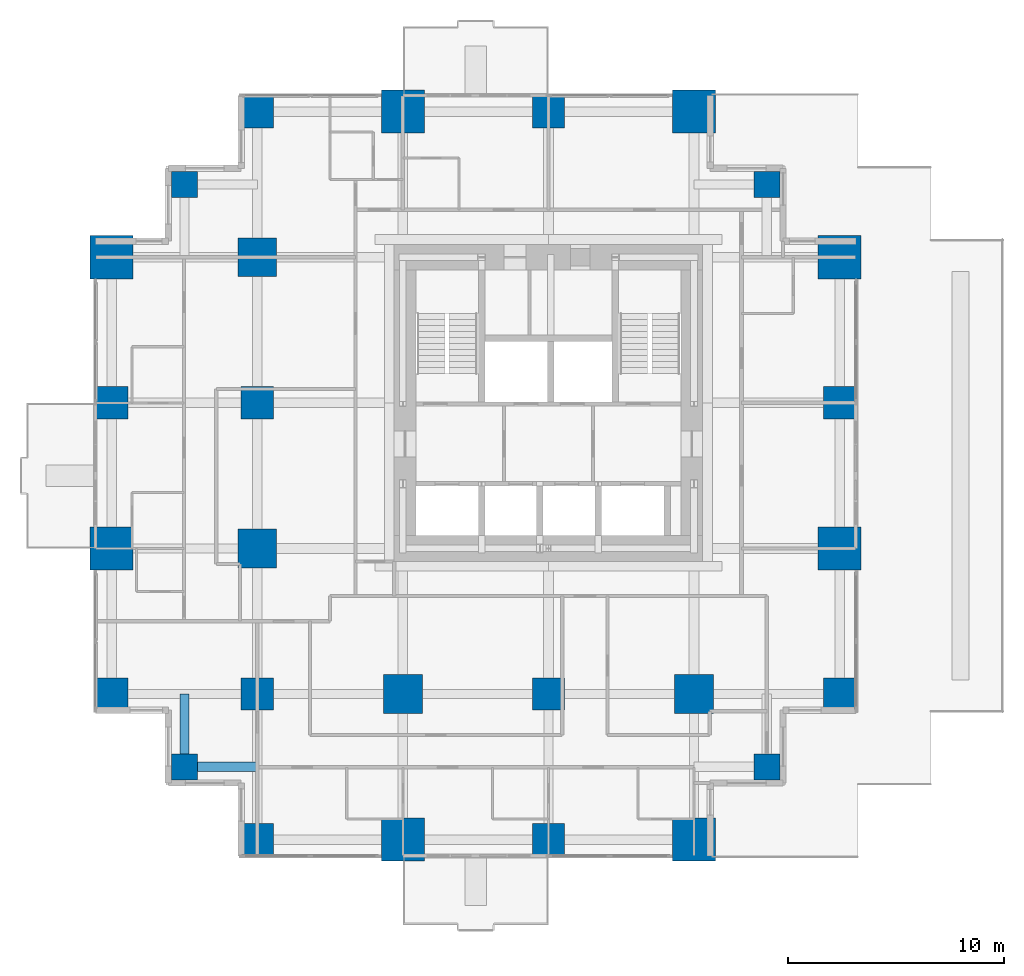
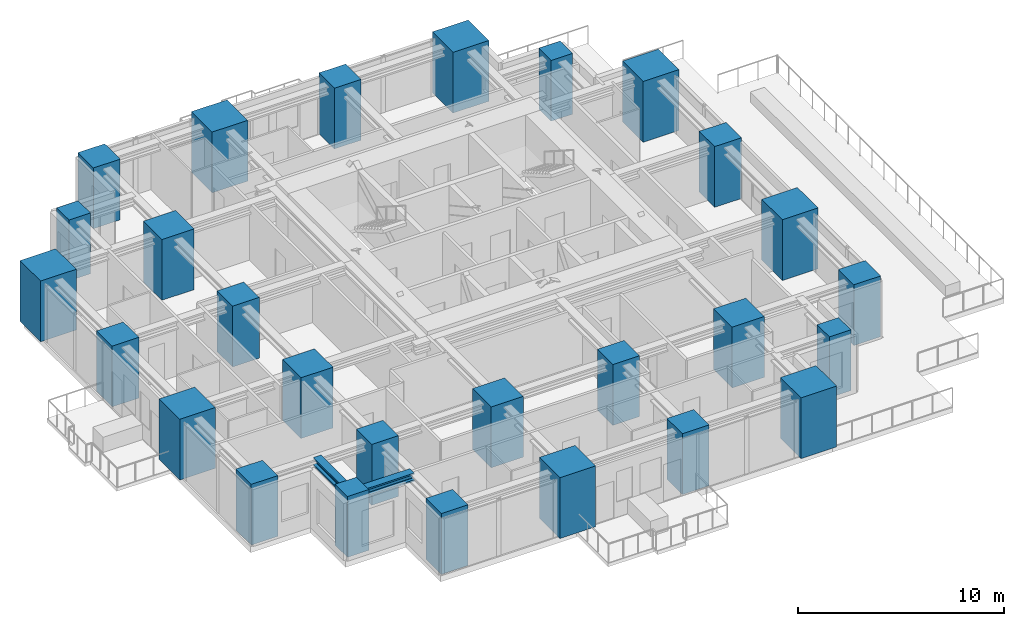
# One storey, part 1 of 10: 27 columns, 2 beams.
"""IFC4 building model written with IfcOpenShell, lengths in metres."""

import ifcopenshell
import ifcopenshell.guid

model = None  # the IFC model being written
_history = None  # IfcOwnerHistory: only IFC2X3 demands one
_inside = {}  # id of a spatial element -> (the spatial element, [elements in it])
_under = {}  # id of a project, library or spatial element -> (it, [spatial elements below it])
_declared = {}  # id of a project -> (the project, [libraries it declares])
_typed = {}  # id of a type object -> (the type object, [elements of that type])
_made_of = {}  # id of a material, layer set ... -> (it, [elements and type objects made of it])


def new_model(schema):
    """Start an empty IFC model of exactly this schema.

    Asked for "IFC4X3", IfcOpenShell would pick the latest addendum, in which some entities
    have other attributes; the version numbers below select the first issue.
    IFC2X3 requires an IfcOwnerHistory on every rooted entity: one is made here for all.
    """
    global model, _history
    if schema == "IFC4X3":
        model = ifcopenshell.file(schema_version=(4, 3, 0, 0))
    else:
        model = ifcopenshell.file(schema=schema)
    _inside.clear()
    _under.clear()
    _declared.clear()
    _typed.clear()
    _made_of.clear()
    _history = None
    if model.schema == "IFC2X3":
        org = make("IfcOrganization", Name="unknown")
        user = make(
            "IfcPersonAndOrganization",
            ThePerson=make("IfcPerson", FamilyName="unknown"),
            TheOrganization=org,
        )
        app = make(
            "IfcApplication",
            ApplicationDeveloper=org,
            Version="unknown",
            ApplicationFullName="unknown",
            ApplicationIdentifier="unknown",
        )
        _history = make(
            "IfcOwnerHistory",
            OwningUser=user,
            OwningApplication=app,
            ChangeAction="ADDED",
            CreationDate=0,
        )
    return model


def make(cls, **values):
    """One entity of the class cls with the attributes given. An attribute that is None is left unset."""
    return model.create_entity(
        cls, **{name: value for name, value in values.items() if value is not None}
    )


def rooted(cls, **values):
    """An entity with a GlobalId (a new one), such as an element, a storey or a relation."""
    return make(cls, GlobalId=ifcopenshell.guid.new(), OwnerHistory=_history, **values)


def si_unit(unit_type, name, prefix=None):
    """IfcSIUnit, for example si_unit("LENGTHUNIT", "METRE", prefix="MILLI")."""
    return make("IfcSIUnit", UnitType=unit_type, Prefix=prefix, Name=name)


def assignment(units):
    """IfcUnitAssignment: the units of a project."""
    return None if units is None else make("IfcUnitAssignment", Units=units)


def point(xyz):
    """IfcCartesianPoint."""
    return None if xyz is None else make("IfcCartesianPoint", Coordinates=xyz)


def direction(xyz):
    """IfcDirection."""
    return None if xyz is None else make("IfcDirection", DirectionRatios=xyz)


def frame(location, z_axis=None, x_axis=None):
    """IfcAxis2Placement3D, a coordinate frame: its origin and axes. An axis left out is left unset."""
    return make(
        "IfcAxis2Placement3D",
        Location=point(location),
        Axis=direction(z_axis),
        RefDirection=direction(x_axis),
    )


def frame_2d(location, x_axis=None):
    """IfcAxis2Placement2D, a coordinate frame in the plane: its origin and x axis."""
    return make(
        "IfcAxis2Placement2D", Location=point(location), RefDirection=direction(x_axis)
    )


def origin():
    """The frame at (0, 0, 0) with its axes left unset."""
    return frame((0.0, 0.0, 0.0))


def origin_2d():
    """The frame at (0, 0) in the plane with its x axis left unset."""
    return frame_2d((0.0, 0.0))


def place(relative_to, where):
    """IfcLocalPlacement: puts the frame where relative to a parent placement (None: the world)."""
    return make(
        "IfcLocalPlacement", PlacementRelTo=relative_to, RelativePlacement=where
    )


def context(
    kind, dimensions, precision=None, world=None, true_north=None, identifier=None
):
    """IfcGeometricRepresentationContext, for example the 3D "Model" context."""
    return make(
        "IfcGeometricRepresentationContext",
        ContextIdentifier=identifier,
        ContextType=kind,
        CoordinateSpaceDimension=dimensions,
        Precision=precision,
        WorldCoordinateSystem=world,
        TrueNorth=true_north,
    )


def subcontext(parent, identifier, kind, view, scale=None):
    """IfcGeometricRepresentationSubContext, for example "Body" below "Model"."""
    return make(
        "IfcGeometricRepresentationSubContext",
        ContextIdentifier=identifier,
        ContextType=kind,
        ParentContext=parent,
        TargetScale=scale,
        TargetView=view,
    )


def project(units=None, contexts=None):
    """IfcProject with its units and contexts."""
    return rooted(
        "IfcProject",
        Name="project",
        RepresentationContexts=contexts,
        UnitsInContext=assignment(units),
    )


def spatial(cls, under=None, at=None, **own):
    """A site, building, storey or space (cls), placed at a placement, below another one or the project."""
    s = rooted(cls, ObjectPlacement=at, **own)
    if under is not None:
        _under.setdefault(under.id(), (under, []))[1].append(s)
    return s


def profile(cls, at=None, kind="AREA", **sizes):
    """A parametric profile (cls). Its sizes go by their IFC names, for example OverallWidth=200.0."""
    return make(cls, ProfileType=kind, Position=at, **sizes)


def rectangle(**sizes):
    """IfcRectangleProfileDef."""
    return profile("IfcRectangleProfileDef", **sizes)


def i_section(**sizes):
    """IfcIShapeProfileDef."""
    return profile("IfcIShapeProfileDef", **sizes)


def extrude(swept, where, along, depth):
    """IfcExtrudedAreaSolid: the profile swept, set in the frame where, extruded along a direction by depth."""
    return make(
        "IfcExtrudedAreaSolid",
        SweptArea=swept,
        Position=where,
        ExtrudedDirection=direction(along),
        Depth=depth,
    )


def shape(context_of_items, identifier, shape_type, items):
    """IfcShapeRepresentation: the items that make up one representation, for example the "Body"."""
    return make(
        "IfcShapeRepresentation",
        ContextOfItems=context_of_items,
        RepresentationIdentifier=identifier,
        RepresentationType=shape_type,
        Items=items,
    )


def material(Name=None, Category=None):
    """IfcMaterial."""
    return make("IfcMaterial", Name=Name, Category=Category)


def material_profile(
    of_material, cross_section, Name=None, Category=None, Priority=None
):
    """IfcMaterialProfile: a cross section and its material."""
    return make(
        "IfcMaterialProfile",
        Name=Name,
        Material=of_material,
        Profile=cross_section,
        Priority=Priority,
        Category=Category,
    )


def profile_set(profiles, Name=None, composite=None):
    """IfcMaterialProfileSet."""
    return make(
        "IfcMaterialProfileSet",
        Name=Name,
        MaterialProfiles=profiles,
        CompositeProfile=composite,
    )


def made_of(thing, what):
    """Note that an element or type object is made of a material, layer set ...; save() writes the relation."""
    if what is not None:
        _made_of.setdefault(what.id(), (what, []))[1].append(thing)
    return thing


def type_object(cls, material=None, **own):
    """A type object (cls), such as IfcWallType, which elements share."""
    return made_of(rooted(cls, **own), material)


def element(
    cls,
    number,
    at=None,
    inside=None,
    cuts=None,
    type_object=None,
    material=None,
    context=None,
    identifier="Body",
    shape_type=None,
    held_by="IfcProductDefinitionShape",
    body=None,
    shapes=None,
    **own,
):
    """One element of the class cls, such as IfcWall. Its Tag is "e" and its number.

    at: its placement. inside: the storey or other place that contains it. cuts: it is an
    opening in that element (IfcRelVoidsElement). A single representation is given by context,
    identifier, shape_type and body (its items); several are given by shapes. held_by: the class
    of the entity that holds the representations. save() writes the other relations.
    """
    e = rooted(cls, Tag="e%d" % number, ObjectPlacement=at, **own)
    if body is not None:
        shapes = [shape(context, identifier, shape_type, body)]
    if shapes is not None:
        e.Representation = make(held_by, Representations=shapes)
    if inside is not None:
        _inside.setdefault(inside.id(), (inside, []))[1].append(e)
    if cuts is not None:
        rooted(
            "IfcRelVoidsElement", RelatingBuildingElement=cuts, RelatedOpeningElement=e
        )
    if type_object is not None:
        _typed.setdefault(type_object.id(), (type_object, []))[1].append(e)
    return made_of(e, material)


def aggregate(whole, parts):
    """IfcRelAggregates: a whole, such as a stair, and the parts it consists of."""
    return rooted("IfcRelAggregates", RelatingObject=whole, RelatedObjects=parts)


def save(model, path):
    """Write the relations noted so far, then the file.

    IfcRelAggregates (storeys below a building ...), IfcRelContainedInSpatialStructure (elements
    in a storey), IfcRelDefinesByType, IfcRelAssociatesMaterial and IfcRelDeclares: one each for
    every whole, place, type object, material and project.
    """
    for whole, parts in _under.values():
        aggregate(whole, parts)
    for where, things in _inside.values():
        rooted(
            "IfcRelContainedInSpatialStructure",
            RelatedElements=things,
            RelatingStructure=where,
        )
    for kind, things in _typed.values():
        rooted("IfcRelDefinesByType", RelatedObjects=things, RelatingType=kind)
    for what, things in _made_of.values():
        rooted("IfcRelAssociatesMaterial", RelatedObjects=things, RelatingMaterial=what)
    for by, libraries in _declared.values():
        rooted("IfcRelDeclares", RelatingContext=by, RelatedDefinitions=libraries)
    model.write(path)


model = new_model("IFC4")

# Units and contexts
model_context = context("Model", 3, precision=1e-05, world=origin(), true_north=direction((0.0, 1.0)))
body_context = subcontext(model_context, "Body", "Model", "MODEL_VIEW")
ifc_project = project(units=[si_unit("LENGTHUNIT", "METRE"), si_unit("AREAUNIT", "SQUARE_METRE"), si_unit("VOLUMEUNIT", "CUBIC_METRE"), si_unit("PLANEANGLEUNIT", "RADIAN"), si_unit("MASSUNIT", "GRAM", prefix="KILO")], contexts=[model_context])

# Site, building, storey
site_placement = place(None, origin())
site = spatial("IfcSite", under=ifc_project, at=site_placement, CompositionType="ELEMENT")
building_placement = place(site_placement, origin())
building = spatial("IfcBuilding", under=site, at=building_placement, Name="Nyansa Garden Tower", CompositionType="ELEMENT")
storey_placement = place(building_placement, frame((0.0, 0.0, 142.199951171875)))
storey = spatial("IfcBuildingStorey", under=building, at=storey_placement, Name="L38", CompositionType="ELEMENT", Elevation=142.199951171875)

# Columns
ifc_material_1 = material(Name="Concrete C70/85", Category="concrete")
ifc_material_profile_1 = material_profile(ifc_material_1, rectangle(XDim=1.199951171875, YDim=1.199951171875, at=origin_2d()), Name="RC 1200x1200")
ifc_profile_set_1 = profile_set([ifc_material_profile_1], Name="Concrete C70/85")
column_type_1 = type_object("IfcColumnType", Name="Column C120 RC 1200x1200", PredefinedType="COLUMN", material=ifc_profile_set_1)
for number, where, z_axis, x_axis, name in (
    (1, (3.375, 3.375, 0.0), (0.0, 0.0, 1.0), (1.0, 0.0, 0.0), "Column x3.375/y3.375 L38"),
    (2, (3.375, 30.375, 0.0), (0.0, 0.0, 1.0), (1.0, 0.0, 0.0), "Column x3.375/y30.375 L38"),
    (3, (30.375, 3.375, 0.0), (0.0, 0.0, 1.0), (1.0, 0.0, 0.0), "Column x30.375/y3.375 L38"),
    (4, (30.375, 30.375, 0.0), (0.0, 0.0, 1.0), (1.0, 0.0, 0.0), "Column x30.375/y30.375 L38"),
):
    element("IfcColumn", number, at=place(storey_placement, frame(where, z_axis=z_axis, x_axis=x_axis)), inside=storey, type_object=column_type_1, Name=name, PredefinedType="COLUMN", context=body_context, shape_type="SweptSolid", body=[
        extrude(rectangle(XDim=1.199951171875, YDim=1.199951171875, at=origin_2d()), origin(), (0.0, 0.0, 1.0), 3.60009765625),
    ])
ifc_material_2 = material(Name="Concrete C80/95", Category="concrete")
ifc_material_profile_2 = material_profile(ifc_material_2, rectangle(XDim=1.5, YDim=1.5, at=origin_2d()), Name="RC 1500x1500")
ifc_profile_set_2 = profile_set([ifc_material_profile_2], Name="Concrete C80/95")
column_type_2 = type_object("IfcColumnType", Name="Column C150 RC 1500x1500", PredefinedType="COLUMN", material=ifc_profile_set_2)
for number, where, z_axis, x_axis, name in (
    (5, (0.0, 6.75, 0.0), (0.0, 0.0, 1.0), (1.0, 0.0, 0.0), "Column 2/E L38"),
    (6, (0.0, 20.25, 0.0), (0.0, 0.0, 1.0), (1.0, 0.0, 0.0), "Column 2/G L38"),
    (7, (6.75, 0.0, 0.0), (0.0, 0.0, 1.0), (1.0, 0.0, 0.0), "Column 3/D L38"),
    (8, (6.75, 6.75, 0.0), (0.0, 0.0, 1.0), (1.0, 0.0, 0.0), "Column 3/E L38"),
    (9, (6.75, 20.25, 0.0), (0.0, 0.0, 1.0), (1.0, 0.0, 0.0), "Column 3/G L38"),
    (10, (6.75, 33.75, 0.0), (0.0, 0.0, 1.0), (1.0, 0.0, 0.0), "Column 3/J L38"),
    (11, (20.25, 0.0, 0.0), (0.0, 0.0, 1.0), (1.0, 0.0, 0.0), "Column 5/D L38"),
    (12, (20.25, 6.75, 0.0), (0.0, 0.0, 1.0), (1.0, 0.0, 0.0), "Column 5/E L38"),
    (13, (20.25, 33.75, 0.0), (0.0, 0.0, 1.0), (1.0, 0.0, 0.0), "Column 5/J L38"),
    (14, (33.75, 6.75, 0.0), (0.0, 0.0, 1.0), (1.0, 0.0, 0.0), "Column 7/E L38"),
    (15, (33.75, 20.25, 0.0), (0.0, 0.0, 1.0), (1.0, 0.0, 0.0), "Column 7/G L38"),
):
    element("IfcColumn", number, at=place(storey_placement, frame(where, z_axis=z_axis, x_axis=x_axis)), inside=storey, type_object=column_type_2, Name=name, PredefinedType="COLUMN", context=body_context, shape_type="SweptSolid", body=[
        extrude(rectangle(XDim=1.5, YDim=1.5, at=origin_2d()), origin(), (0.0, 0.0, 1.0), 3.60009765625),
    ])
ifc_material_3 = material(Name="Concrete C80/95", Category="concrete")
ifc_material_profile_3 = material_profile(ifc_material_3, rectangle(XDim=1.800048828125, YDim=1.800048828125, at=origin_2d()), Name="RC 1800x1800")
ifc_profile_set_3 = profile_set([ifc_material_profile_3], Name="Concrete C80/95")
column_type_3 = type_object("IfcColumnType", Name="Column C180 RC 1800x1800", PredefinedType="COLUMN", material=ifc_profile_set_3)
for number, where, z_axis, x_axis, name in (
    (16, (6.75, 13.5, 0.0), (0.0, 0.0, 1.0), (1.0, 0.0, 0.0), "Column 3/F L38"),
    (17, (6.75, 27.0, 0.0), (0.0, 0.0, 1.0), (1.0, 0.0, 0.0), "Column 3/H L38"),
    (18, (13.5, 6.75, 0.0), (0.0, 0.0, 1.0), (1.0, 0.0, 0.0), "Column 4/E L38"),
    (19, (27.0, 6.75, 0.0), (0.0, 0.0, 1.0), (1.0, 0.0, 0.0), "Column 6/E L38"),
):
    element("IfcColumn", number, at=place(storey_placement, frame(where, z_axis=z_axis, x_axis=x_axis)), inside=storey, type_object=column_type_3, Name=name, PredefinedType="COLUMN", context=body_context, shape_type="SweptSolid", body=[
        extrude(rectangle(XDim=1.800048828125, YDim=1.800048828125, at=origin_2d()), origin(), (0.0, 0.0, 1.0), 3.60009765625),
    ])
ifc_material_4 = material(Name="Concrete C80/95", Category="concrete")
ifc_material_profile_4 = material_profile(ifc_material_4, rectangle(XDim=2.0, YDim=2.0, at=origin_2d()), Name="RC 2000x2000")
ifc_profile_set_4 = profile_set([ifc_material_profile_4], Name="Concrete C80/95")
column_type_4 = type_object("IfcColumnType", Name="Column C200 RC 2000x2000", PredefinedType="COLUMN", material=ifc_profile_set_4)
for number, where, z_axis, x_axis, name in (
    (20, (0.0, 13.5, 0.0), (0.0, 0.0, 1.0), (1.0, 0.0, 0.0), "Column 2/F L38"),
    (21, (0.0, 27.0, 0.0), (0.0, 0.0, 1.0), (1.0, 0.0, 0.0), "Column 2/H L38"),
    (22, (13.5, 0.0, 0.0), (0.0, 0.0, 1.0), (1.0, 0.0, 0.0), "Column 4/D L38"),
    (23, (13.5, 33.75, 0.0), (0.0, 0.0, 1.0), (1.0, 0.0, 0.0), "Column 4/J L38"),
    (24, (27.0, 0.0, 0.0), (0.0, 0.0, 1.0), (1.0, 0.0, 0.0), "Column 6/D L38"),
    (25, (27.0, 33.75, 0.0), (0.0, 0.0, 1.0), (1.0, 0.0, 0.0), "Column 6/J L38"),
    (26, (33.75, 13.5, 0.0), (0.0, 0.0, 1.0), (1.0, 0.0, 0.0), "Column 7/F L38"),
    (27, (33.75, 27.0, 0.0), (0.0, 0.0, 1.0), (1.0, 0.0, 0.0), "Column 7/H L38"),
):
    element("IfcColumn", number, at=place(storey_placement, frame(where, z_axis=z_axis, x_axis=x_axis)), inside=storey, type_object=column_type_4, Name=name, PredefinedType="COLUMN", context=body_context, shape_type="SweptSolid", body=[
        extrude(rectangle(XDim=2.0, YDim=2.0, at=origin_2d()), origin(), (0.0, 0.0, 1.0), 3.60009765625),
    ])

# Beams
ifc_material_5 = material(Name="Steel S355", Category="steel")
ifc_material_profile_5 = material_profile(ifc_material_5, i_section(OverallWidth=0.431884765625, OverallDepth=0.498046875, WebThickness=0.0556640625, FlangeThickness=0.0888671875, FilletRadius=0.014892578125, at=origin_2d()), Name="HD 400x744")
ifc_profile_set_5 = profile_set([ifc_material_profile_5], Name="Steel S355")
beam_type = type_object("IfcBeamType", Name="Steel beam SSB1-744 HD 400x744", PredefinedType="BEAM", material=ifc_profile_set_5)
for number, where, z_axis, x_axis, name in (
    (28, (3.375, 3.375, 3.1259765625), (0.0, 1.0, 0.0), (-1.0, 0.0, 0.0), "Steel step beam 3.375/3.375 L39"),
    (29, (3.375, 3.375, 3.1259765625), (1.0, 0.0, 0.0), (0.0, 1.0, 0.0), "Steel step beam 3.375/3.375 L39"),
):
    element("IfcBeam", number, at=place(storey_placement, frame(where, z_axis=z_axis, x_axis=x_axis)), inside=storey, type_object=beam_type, Name=name, PredefinedType="BEAM", context=body_context, shape_type="SweptSolid", body=[
        extrude(i_section(OverallWidth=0.431884765625, OverallDepth=0.498046875, WebThickness=0.0556640625, FlangeThickness=0.0888671875, FilletRadius=0.014892578125, at=origin_2d()), origin(), (0.0, 0.0, 1.0), 3.375),
    ])

save(model, "model.ifc")
